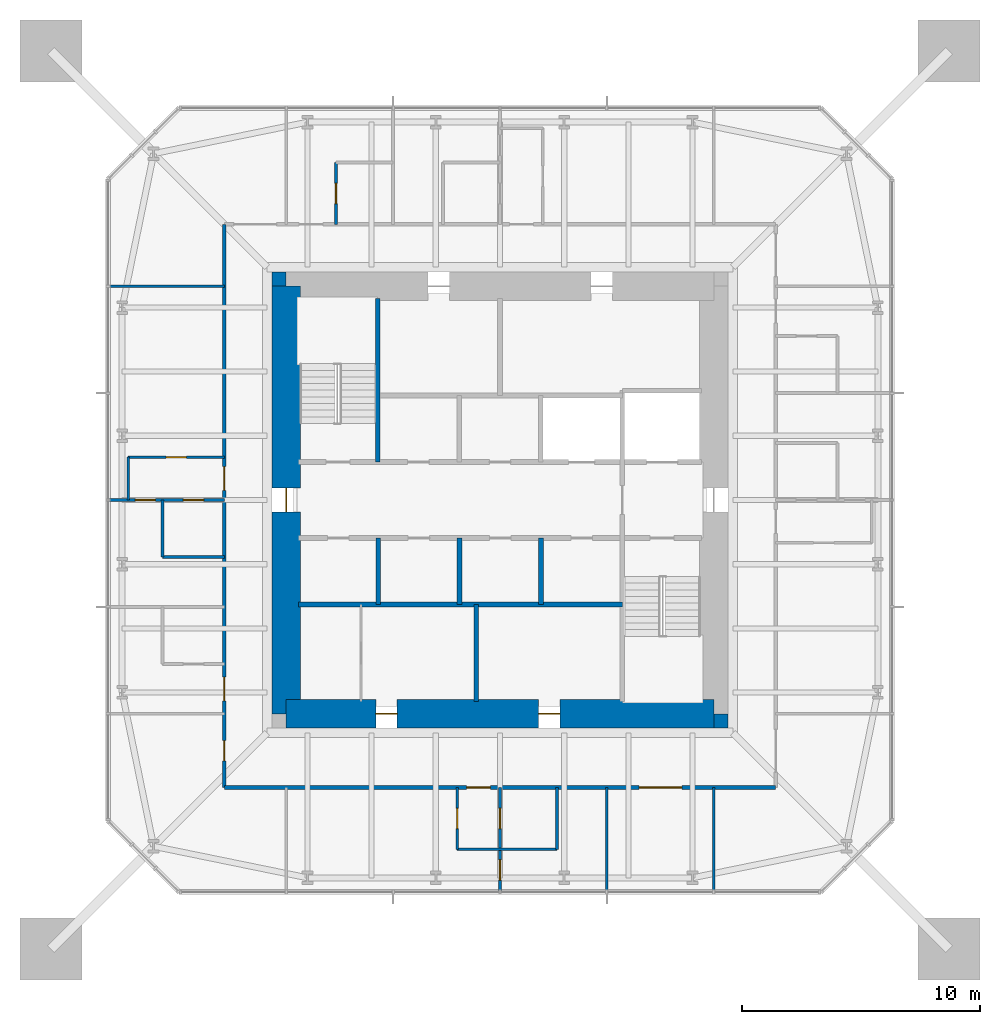
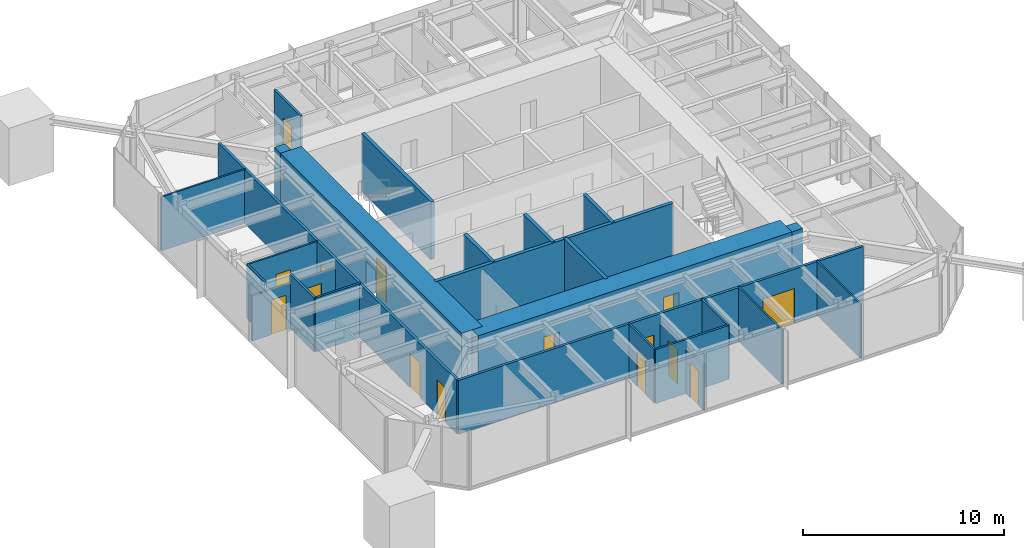
# One storey, part 6 of 9: 25 walls, 15 doors, 15 openings.
"""IFC4 building model written with IfcOpenShell, lengths in metres."""

import ifcopenshell
import ifcopenshell.guid

model = None  # the IFC model being written
_history = None  # IfcOwnerHistory: only IFC2X3 demands one
_inside = {}  # id of a spatial element -> (the spatial element, [elements in it])
_under = {}  # id of a project, library or spatial element -> (it, [spatial elements below it])
_declared = {}  # id of a project -> (the project, [libraries it declares])
_typed = {}  # id of a type object -> (the type object, [elements of that type])
_made_of = {}  # id of a material, layer set ... -> (it, [elements and type objects made of it])


def new_model(schema):
    """Start an empty IFC model of exactly this schema.

    Asked for "IFC4X3", IfcOpenShell would pick the latest addendum, in which some entities
    have other attributes; the version numbers below select the first issue.
    IFC2X3 requires an IfcOwnerHistory on every rooted entity: one is made here for all.
    """
    global model, _history
    if schema == "IFC4X3":
        model = ifcopenshell.file(schema_version=(4, 3, 0, 0))
    else:
        model = ifcopenshell.file(schema=schema)
    _inside.clear()
    _under.clear()
    _declared.clear()
    _typed.clear()
    _made_of.clear()
    _history = None
    if model.schema == "IFC2X3":
        org = make("IfcOrganization", Name="unknown")
        user = make(
            "IfcPersonAndOrganization",
            ThePerson=make("IfcPerson", FamilyName="unknown"),
            TheOrganization=org,
        )
        app = make(
            "IfcApplication",
            ApplicationDeveloper=org,
            Version="unknown",
            ApplicationFullName="unknown",
            ApplicationIdentifier="unknown",
        )
        _history = make(
            "IfcOwnerHistory",
            OwningUser=user,
            OwningApplication=app,
            ChangeAction="ADDED",
            CreationDate=0,
        )
    return model


def make(cls, **values):
    """One entity of the class cls with the attributes given. An attribute that is None is left unset."""
    return model.create_entity(
        cls, **{name: value for name, value in values.items() if value is not None}
    )


def rooted(cls, **values):
    """An entity with a GlobalId (a new one), such as an element, a storey or a relation."""
    return make(cls, GlobalId=ifcopenshell.guid.new(), OwnerHistory=_history, **values)


def si_unit(unit_type, name, prefix=None):
    """IfcSIUnit, for example si_unit("LENGTHUNIT", "METRE", prefix="MILLI")."""
    return make("IfcSIUnit", UnitType=unit_type, Prefix=prefix, Name=name)


def assignment(units):
    """IfcUnitAssignment: the units of a project."""
    return None if units is None else make("IfcUnitAssignment", Units=units)


def point(xyz):
    """IfcCartesianPoint."""
    return None if xyz is None else make("IfcCartesianPoint", Coordinates=xyz)


def direction(xyz):
    """IfcDirection."""
    return None if xyz is None else make("IfcDirection", DirectionRatios=xyz)


def frame(location, z_axis=None, x_axis=None):
    """IfcAxis2Placement3D, a coordinate frame: its origin and axes. An axis left out is left unset."""
    return make(
        "IfcAxis2Placement3D",
        Location=point(location),
        Axis=direction(z_axis),
        RefDirection=direction(x_axis),
    )


def frame_2d(location, x_axis=None):
    """IfcAxis2Placement2D, a coordinate frame in the plane: its origin and x axis."""
    return make(
        "IfcAxis2Placement2D", Location=point(location), RefDirection=direction(x_axis)
    )


def origin():
    """The frame at (0, 0, 0) with its axes left unset."""
    return frame((0.0, 0.0, 0.0))


def place(relative_to, where):
    """IfcLocalPlacement: puts the frame where relative to a parent placement (None: the world)."""
    return make(
        "IfcLocalPlacement", PlacementRelTo=relative_to, RelativePlacement=where
    )


def context(
    kind, dimensions, precision=None, world=None, true_north=None, identifier=None
):
    """IfcGeometricRepresentationContext, for example the 3D "Model" context."""
    return make(
        "IfcGeometricRepresentationContext",
        ContextIdentifier=identifier,
        ContextType=kind,
        CoordinateSpaceDimension=dimensions,
        Precision=precision,
        WorldCoordinateSystem=world,
        TrueNorth=true_north,
    )


def subcontext(parent, identifier, kind, view, scale=None):
    """IfcGeometricRepresentationSubContext, for example "Body" below "Model"."""
    return make(
        "IfcGeometricRepresentationSubContext",
        ContextIdentifier=identifier,
        ContextType=kind,
        ParentContext=parent,
        TargetScale=scale,
        TargetView=view,
    )


def project(units=None, contexts=None):
    """IfcProject with its units and contexts."""
    return rooted(
        "IfcProject",
        Name="project",
        RepresentationContexts=contexts,
        UnitsInContext=assignment(units),
    )


def spatial(cls, under=None, at=None, **own):
    """A site, building, storey or space (cls), placed at a placement, below another one or the project."""
    s = rooted(cls, ObjectPlacement=at, **own)
    if under is not None:
        _under.setdefault(under.id(), (under, []))[1].append(s)
    return s


def profile(cls, at=None, kind="AREA", **sizes):
    """A parametric profile (cls). Its sizes go by their IFC names, for example OverallWidth=200.0."""
    return make(cls, ProfileType=kind, Position=at, **sizes)


def rectangle(**sizes):
    """IfcRectangleProfileDef."""
    return profile("IfcRectangleProfileDef", **sizes)


def extrude(swept, where, along, depth):
    """IfcExtrudedAreaSolid: the profile swept, set in the frame where, extruded along a direction by depth."""
    return make(
        "IfcExtrudedAreaSolid",
        SweptArea=swept,
        Position=where,
        ExtrudedDirection=direction(along),
        Depth=depth,
    )


def shape(context_of_items, identifier, shape_type, items):
    """IfcShapeRepresentation: the items that make up one representation, for example the "Body"."""
    return make(
        "IfcShapeRepresentation",
        ContextOfItems=context_of_items,
        RepresentationIdentifier=identifier,
        RepresentationType=shape_type,
        Items=items,
    )


def material(Name=None, Category=None):
    """IfcMaterial."""
    return make("IfcMaterial", Name=Name, Category=Category)


def layer(
    of_material, thickness, ventilated=None, Name=None, Category=None, Priority=None
):
    """IfcMaterialLayer: one layer of a wall or slab, of a material (None: an air gap)."""
    return make(
        "IfcMaterialLayer",
        Material=of_material,
        LayerThickness=thickness,
        IsVentilated=ventilated,
        Name=Name,
        Category=Category,
        Priority=Priority,
    )


def layer_set(layers, Name=None):
    """IfcMaterialLayerSet."""
    return make("IfcMaterialLayerSet", MaterialLayers=layers, LayerSetName=Name)


def made_of(thing, what):
    """Note that an element or type object is made of a material, layer set ...; save() writes the relation."""
    if what is not None:
        _made_of.setdefault(what.id(), (what, []))[1].append(thing)
    return thing


def type_object(cls, material=None, **own):
    """A type object (cls), such as IfcWallType, which elements share."""
    return made_of(rooted(cls, **own), material)


def element(
    cls,
    number,
    at=None,
    inside=None,
    cuts=None,
    type_object=None,
    material=None,
    context=None,
    identifier="Body",
    shape_type=None,
    held_by="IfcProductDefinitionShape",
    body=None,
    shapes=None,
    **own,
):
    """One element of the class cls, such as IfcWall. Its Tag is "e" and its number.

    at: its placement. inside: the storey or other place that contains it. cuts: it is an
    opening in that element (IfcRelVoidsElement). A single representation is given by context,
    identifier, shape_type and body (its items); several are given by shapes. held_by: the class
    of the entity that holds the representations. save() writes the other relations.
    """
    e = rooted(cls, Tag="e%d" % number, ObjectPlacement=at, **own)
    if body is not None:
        shapes = [shape(context, identifier, shape_type, body)]
    if shapes is not None:
        e.Representation = make(held_by, Representations=shapes)
    if inside is not None:
        _inside.setdefault(inside.id(), (inside, []))[1].append(e)
    if cuts is not None:
        rooted(
            "IfcRelVoidsElement", RelatingBuildingElement=cuts, RelatedOpeningElement=e
        )
    if type_object is not None:
        _typed.setdefault(type_object.id(), (type_object, []))[1].append(e)
    return made_of(e, material)


def fill(opening, filler):
    """IfcRelFillsElement: the door or window that sits in an opening."""
    return rooted(
        "IfcRelFillsElement",
        RelatingOpeningElement=opening,
        RelatedBuildingElement=filler,
    )


def aggregate(whole, parts):
    """IfcRelAggregates: a whole, such as a stair, and the parts it consists of."""
    return rooted("IfcRelAggregates", RelatingObject=whole, RelatedObjects=parts)


def save(model, path):
    """Write the relations noted so far, then the file.

    IfcRelAggregates (storeys below a building ...), IfcRelContainedInSpatialStructure (elements
    in a storey), IfcRelDefinesByType, IfcRelAssociatesMaterial and IfcRelDeclares: one each for
    every whole, place, type object, material and project.
    """
    for whole, parts in _under.values():
        aggregate(whole, parts)
    for where, things in _inside.values():
        rooted(
            "IfcRelContainedInSpatialStructure",
            RelatedElements=things,
            RelatingStructure=where,
        )
    for kind, things in _typed.values():
        rooted("IfcRelDefinesByType", RelatedObjects=things, RelatingType=kind)
    for what, things in _made_of.values():
        rooted("IfcRelAssociatesMaterial", RelatedObjects=things, RelatingMaterial=what)
    for by, libraries in _declared.values():
        rooted("IfcRelDeclares", RelatingContext=by, RelatedDefinitions=libraries)
    model.write(path)


model = new_model("IFC4")

# Units and contexts
model_context = context("Model", 3, precision=1e-05, world=origin(), true_north=direction((0.0, 1.0)))
body_context = subcontext(model_context, "Body", "Model", "MODEL_VIEW")
ifc_project = project(units=[si_unit("LENGTHUNIT", "METRE"), si_unit("AREAUNIT", "SQUARE_METRE"), si_unit("VOLUMEUNIT", "CUBIC_METRE"), si_unit("PLANEANGLEUNIT", "RADIAN"), si_unit("MASSUNIT", "GRAM", prefix="KILO")], contexts=[model_context])

# Site, building, storey
site_placement = place(None, origin())
site = spatial("IfcSite", under=ifc_project, at=site_placement, CompositionType="ELEMENT")
building_placement = place(site_placement, origin())
building = spatial("IfcBuilding", under=site, at=building_placement, Name="Iwan Alto Co-Living Towers", CompositionType="ELEMENT")
storey_placement = place(building_placement, frame((0.0, 0.0, 232.5)))
storey = spatial("IfcBuildingStorey", under=building, at=storey_placement, Name="L63", CompositionType="ELEMENT", Elevation=232.5)

# Wall, openings, doors
ifc_material_1 = material(Name="Gypsum board")
ifc_layer_1 = layer(ifc_material_1, 0.02490234375, Name="Board", Category="Finish")
ifc_material_2 = material(Name="Steel ASTM A1003 ST33H cold-formed studs", Category="steel")
ifc_layer_2 = layer(ifc_material_2, 0.10009765625, Name="Studs", Category="Framing")
ifc_layer_3 = layer(ifc_material_1, 0.02490234375, Name="Board", Category="Finish")
ifc_layer_set_1 = layer_set([ifc_layer_1, ifc_layer_2, ifc_layer_3], Name="CORRIDOR WALL 150")
wall_type_1 = type_object("IfcWallType", Name="CORRIDOR WALL 150", PredefinedType="PARTITIONING", material=ifc_layer_set_1)
wall_1_placement = place(storey_placement, frame((-11.60009765625, -12.10009765625, 0.0), z_axis=(0.0, 0.0, 1.0), x_axis=(1.0, 0.0, 0.0)))
wall_1 = element("IfcWall", 1, at=wall_1_placement, inside=storey, type_object=wall_type_1, Name="Partition L63", PredefinedType="PARTITIONING", context=body_context, shape_type="SweptSolid", body=[
    extrude(rectangle(XDim=23.2001953125, YDim=0.14990234375, at=frame_2d((11.60009765625, 0.0))), origin(), (0.0, 0.0, 1.0), 3.27001953125),
])
opening_1_placement = place(wall_1_placement, frame((10.199951171875, 0.0, 0.0)))
opening_1 = element("IfcOpeningElement", 2, at=opening_1_placement, cuts=wall_1, Name="Opening D3", PredefinedType="OPENING", context=body_context, shape_type="SweptSolid", body=[
    extrude(rectangle(XDim=1.0, YDim=2.10009765625, at=frame_2d((0.5, 1.050048828125))), frame((0.0, 0.0849609375, 0.0), z_axis=(0.0, -1.0, 0.0), x_axis=(1.0, 0.0, 0.0)), (0.0, 0.0, 1.0), 0.169921875),
])
opening_2_placement = place(wall_1_placement, frame((17.449951171875, 0.0, 0.0)))
opening_2 = element("IfcOpeningElement", 3, at=opening_2_placement, cuts=wall_1, Name="Opening D9", PredefinedType="OPENING", context=body_context, shape_type="SweptSolid", body=[
    extrude(rectangle(XDim=1.800048828125, YDim=2.10009765625, at=frame_2d((0.89990234375, 1.050048828125))), frame((0.0, 0.0849609375, 0.0), z_axis=(0.0, -1.0, 0.0), x_axis=(1.0, 0.0, 0.0)), (0.0, 0.0, 1.0), 0.169921875),
])
ifc_material_3 = material(Name="Steel frame with timber leaf", Category="steel")
door_type_1 = type_object("IfcDoorType", Name="FLAT ENTRANCE DOOR FD30S 1000X2100", OperationType="SINGLE_SWING_LEFT", PredefinedType="DOOR", material=ifc_material_3)
door_1_placement = place(opening_1_placement, frame((1.0, 0.0, 0.0), z_axis=(0.0, 0.0, 1.0), x_axis=(-1.0, 0.0, 0.0)))
door_1 = element("IfcDoor", 4, at=door_1_placement, inside=storey, type_object=door_type_1, Name="Apartment foyer door L63", OperationType="SINGLE_SWING_RIGHT", OverallHeight=2.10009765625, OverallWidth=1.0, PredefinedType="DOOR", context=body_context, shape_type="SweptSolid", body=[
    extrude(rectangle(XDim=1.0, YDim=2.10009765625, at=frame_2d((0.5, 1.050048828125))), frame((0.0, 0.02490234375, 0.0), z_axis=(0.0, -1.0, 0.0), x_axis=(1.0, 0.0, 0.0)), (0.0, 0.0, 1.0), 0.050048828125),
])
fill(opening_1, door_1)
ifc_material_4 = material(Name="Steel frame with timber leaf", Category="steel")
door_type_2 = type_object("IfcDoorType", Name="LOUNGE DOOR FD30S 1800X2100", OperationType="DOUBLE_DOOR_SINGLE_SWING", PredefinedType="DOOR", material=ifc_material_4)
door_2_placement = place(opening_2_placement, frame((1.800048828125, 0.0, 0.0), z_axis=(0.0, 0.0, 1.0), x_axis=(-1.0, 0.0, 0.0)))
door_2 = element("IfcDoor", 5, at=door_2_placement, inside=storey, type_object=door_type_2, Name="Seminar room door L63", OperationType="DOUBLE_DOOR_SINGLE_SWING", OverallHeight=2.10009765625, OverallWidth=1.800048828125, PredefinedType="DOOR", context=body_context, shape_type="SweptSolid", body=[
    extrude(rectangle(XDim=1.800048828125, YDim=2.10009765625, at=frame_2d((0.89990234375, 1.050048828125))), frame((0.0, 0.02490234375, 0.0), z_axis=(0.0, -1.0, 0.0), x_axis=(1.0, 0.0, 0.0)), (0.0, 0.0, 1.0), 0.050048828125),
])
fill(opening_2, door_2)

wall_2_placement = place(storey_placement, frame((-11.60009765625, -12.10009765625, 0.0), z_axis=(0.0, 0.0, 1.0), x_axis=(0.0, 1.0, 0.0)))
wall_2 = element("IfcWall", 6, at=wall_2_placement, inside=storey, type_object=wall_type_1, Name="Partition L63", PredefinedType="PARTITIONING", context=body_context, shape_type="SweptSolid", body=[
    extrude(rectangle(XDim=23.7001953125, YDim=0.14990234375, at=frame_2d((11.85009765625, 0.0))), origin(), (0.0, 0.0, 1.0), 3.27001953125),
])
opening_3_placement = place(wall_2_placement, frame((12.5, 0.0, 0.0)))
opening_3 = element("IfcOpeningElement", 7, at=opening_3_placement, cuts=wall_2, Name="Opening D3", PredefinedType="OPENING", context=body_context, shape_type="SweptSolid", body=[
    extrude(rectangle(XDim=1.0, YDim=2.10009765625, at=frame_2d((0.5, 1.050048828125))), frame((0.0, 0.0849609375, 0.0), z_axis=(0.0, -1.0, 0.0), x_axis=(1.0, 0.0, 0.0)), (0.0, 0.0, 1.0), 0.169921875),
])
opening_4_placement = place(wall_2_placement, frame((3.64990234375, 0.0, 0.0)))
opening_4 = element("IfcOpeningElement", 8, at=opening_4_placement, cuts=wall_2, Name="Opening D3", PredefinedType="OPENING", context=body_context, shape_type="SweptSolid", body=[
    extrude(rectangle(XDim=1.0, YDim=2.10009765625, at=frame_2d((0.5, 1.050048828125))), frame((0.0, 0.0849609375, 0.0), z_axis=(0.0, -1.0, 0.0), x_axis=(1.0, 0.0, 0.0)), (0.0, 0.0, 1.0), 0.169921875),
])
opening_5_placement = place(wall_2_placement, frame((1.125, 0.0, 0.0)))
opening_5 = element("IfcOpeningElement", 9, at=opening_5_placement, cuts=wall_2, Name="Opening D2", PredefinedType="OPENING", context=body_context, shape_type="SweptSolid", body=[
    extrude(rectangle(XDim=0.85009765625, YDim=2.10009765625, at=frame_2d((0.425048828125, 1.050048828125))), frame((0.0, 0.0849609375, 0.0), z_axis=(0.0, -1.0, 0.0), x_axis=(1.0, 0.0, 0.0)), (0.0, 0.0, 1.0), 0.169921875),
])
door_3_placement = place(opening_3_placement, origin())
door_3 = element("IfcDoor", 10, at=door_3_placement, inside=storey, type_object=door_type_1, Name="Apartment foyer door L63", OperationType="SINGLE_SWING_LEFT", OverallHeight=2.10009765625, OverallWidth=1.0, PredefinedType="DOOR", context=body_context, shape_type="SweptSolid", body=[
    extrude(rectangle(XDim=1.0, YDim=2.10009765625, at=frame_2d((0.5, 1.050048828125))), frame((0.0, 0.02490234375, 0.0), z_axis=(0.0, -1.0, 0.0), x_axis=(1.0, 0.0, 0.0)), (0.0, 0.0, 1.0), 0.050048828125),
])
fill(opening_3, door_3)
door_4_placement = place(opening_4_placement, origin())
door_4 = element("IfcDoor", 11, at=door_4_placement, inside=storey, type_object=door_type_1, Name="Studio door L63", OperationType="SINGLE_SWING_LEFT", OverallHeight=2.10009765625, OverallWidth=1.0, PredefinedType="DOOR", context=body_context, shape_type="SweptSolid", body=[
    extrude(rectangle(XDim=1.0, YDim=2.10009765625, at=frame_2d((0.5, 1.050048828125))), frame((0.0, 0.02490234375, 0.0), z_axis=(0.0, -1.0, 0.0), x_axis=(1.0, 0.0, 0.0)), (0.0, 0.0, 1.0), 0.050048828125),
])
fill(opening_4, door_4)
ifc_material_5 = material(Name="Timber leaf in steel frame", Category="steel")
door_type_3 = type_object("IfcDoorType", Name="ROOM DOOR 850X2100", OperationType="SINGLE_SWING_LEFT", PredefinedType="DOOR", material=ifc_material_5)
door_5_placement = place(opening_5_placement, origin())
door_5 = element("IfcDoor", 12, at=door_5_placement, inside=storey, type_object=door_type_3, Name="Shared kitchen and lounge door L63", OperationType="SINGLE_SWING_RIGHT", OverallHeight=2.10009765625, OverallWidth=0.85009765625, PredefinedType="DOOR", context=body_context, shape_type="SweptSolid", body=[
    extrude(rectangle(XDim=0.85009765625, YDim=2.10009765625, at=frame_2d((0.425048828125, 1.050048828125))), frame((0.0, 0.02490234375, 0.0), z_axis=(0.0, -1.0, 0.0), x_axis=(1.0, 0.0, 0.0)), (0.0, 0.0, 1.0), 0.050048828125),
])
fill(opening_5, door_5)

# Wall, opening, door
ifc_layer_4 = layer(ifc_material_1, 0.012451171875, Name="Board", Category="Finish")
ifc_layer_5 = layer(ifc_material_2, 0.074951171875, Name="Studs", Category="Framing")
ifc_layer_6 = layer(ifc_material_1, 0.012451171875, Name="Board", Category="Finish")
ifc_layer_set_2 = layer_set([ifc_layer_4, ifc_layer_5, ifc_layer_6], Name="PARTITION 100")
wall_type_2 = type_object("IfcWallType", Name="PARTITION 100", PredefinedType="PARTITIONING", material=ifc_layer_set_2)
wall_3_placement = place(storey_placement, frame((-15.64990234375, 1.800048828125, 0.0), z_axis=(0.0, 0.0, 1.0), x_axis=(1.0, 0.0, 0.0)))
wall_3 = element("IfcWall", 13, at=wall_3_placement, inside=storey, type_object=wall_type_2, Name="Partition L63", PredefinedType="PARTITIONING", context=body_context, shape_type="SweptSolid", body=[
    extrude(rectangle(XDim=4.0498046875, YDim=0.10009765625, at=frame_2d((2.02490234375, 0.0))), origin(), (0.0, 0.0, 1.0), 3.27001953125),
])
opening_6_placement = place(wall_3_placement, frame((1.60009765625, 0.0, 0.0)))
opening_6 = element("IfcOpeningElement", 14, at=opening_6_placement, cuts=wall_3, Name="Opening D2", PredefinedType="OPENING", context=body_context, shape_type="SweptSolid", body=[
    extrude(rectangle(XDim=0.85009765625, YDim=2.10009765625, at=frame_2d((0.425048828125, 1.050048828125))), frame((0.0, 0.06005859375, 0.0), z_axis=(0.0, -1.0, 0.0), x_axis=(1.0, 0.0, 0.0)), (0.0, 0.0, 1.0), 0.1201171875),
])
door_6_placement = place(opening_6_placement, origin())
door_6 = element("IfcDoor", 15, at=door_6_placement, inside=storey, type_object=door_type_3, Name="Apartment foyer door L63", OperationType="SINGLE_SWING_RIGHT", OverallHeight=2.10009765625, OverallWidth=0.85009765625, PredefinedType="DOOR", context=body_context, shape_type="SweptSolid", body=[
    extrude(rectangle(XDim=0.85009765625, YDim=2.10009765625, at=frame_2d((0.425048828125, 1.050048828125))), frame((0.0, 0.02490234375, 0.0), z_axis=(0.0, -1.0, 0.0), x_axis=(1.0, 0.0, 0.0)), (0.0, 0.0, 1.0), 0.050048828125),
])
fill(opening_6, door_6)

# Walls
wall_4_placement = place(storey_placement, frame((-16.43994140625, 9.0, 0.0), z_axis=(0.0, 0.0, 1.0), x_axis=(1.0, 0.0, 0.0)))
element("IfcWall", 16, at=wall_4_placement, inside=storey, type_object=wall_type_2, Name="Partition L63", PredefinedType="PARTITIONING", context=body_context, shape_type="SweptSolid", body=[
    extrude(rectangle(XDim=4.83984375, YDim=0.10009765625, at=frame_2d((2.419921875, 0.0))), origin(), (0.0, 0.0, 1.0), 3.27001953125),
])
for number, where, z_axis, x_axis, name in (
    (17, (9.0, -16.43994140625, 0.0), (0.0, 0.0, 1.0), (0.0, 1.0, 0.0), "Partition L63"),
    (18, (4.5, -16.43994140625, 0.0), (0.0, 0.0, 1.0), (0.0, 1.0, 0.0), "Partition L63"),
):
    element("IfcWall", number, at=place(storey_placement, frame(where, z_axis=z_axis, x_axis=x_axis)), inside=storey, type_object=wall_type_2, Name=name, PredefinedType="PARTITIONING", context=body_context, shape_type="SweptSolid", body=[
        extrude(rectangle(XDim=4.33984375, YDim=0.10009765625, at=frame_2d((2.169921875, 0.0))), origin(), (0.0, 0.0, 1.0), 3.27001953125),
    ])

# Wall, opening, door
wall_5_placement = place(storey_placement, frame((-1.800048828125, -14.699951171875, 0.0), z_axis=(0.0, 0.0, 1.0), x_axis=(0.0, 1.0, 0.0)))
wall_5 = element("IfcWall", 19, at=wall_5_placement, inside=storey, type_object=wall_type_2, Name="Partition L63", PredefinedType="PARTITIONING", context=body_context, shape_type="SweptSolid", body=[
    extrude(rectangle(XDim=2.599853515625, YDim=0.10009765625, at=frame_2d((1.2998046875, 0.0))), origin(), (0.0, 0.0, 1.0), 3.27001953125),
])
opening_7_placement = place(wall_5_placement, frame((0.875, 0.0, 0.0)))
opening_7 = element("IfcOpeningElement", 20, at=opening_7_placement, cuts=wall_5, Name="Opening D2", PredefinedType="OPENING", context=body_context, shape_type="SweptSolid", body=[
    extrude(rectangle(XDim=0.85009765625, YDim=2.10009765625, at=frame_2d((0.425048828125, 1.050048828125))), frame((0.0, 0.06005859375, 0.0), z_axis=(0.0, -1.0, 0.0), x_axis=(1.0, 0.0, 0.0)), (0.0, 0.0, 1.0), 0.1201171875),
])
door_7_placement = place(opening_7_placement, origin())
door_7 = element("IfcDoor", 21, at=door_7_placement, inside=storey, type_object=door_type_3, Name="Apartment foyer door L63", OperationType="SINGLE_SWING_RIGHT", OverallHeight=2.10009765625, OverallWidth=0.85009765625, PredefinedType="DOOR", context=body_context, shape_type="SweptSolid", body=[
    extrude(rectangle(XDim=0.85009765625, YDim=2.10009765625, at=frame_2d((0.425048828125, 1.050048828125))), frame((0.0, 0.02490234375, 0.0), z_axis=(0.0, -1.0, 0.0), x_axis=(1.0, 0.0, 0.0)), (0.0, 0.0, 1.0), 0.050048828125),
])
fill(opening_7, door_7)

# Walls
wall_6_placement = place(storey_placement, frame((-15.64990234375, 0.0, 0.0), z_axis=(0.0, 0.0, 1.0), x_axis=(0.0, 1.0, 0.0)))
element("IfcWall", 22, at=wall_6_placement, inside=storey, type_object=wall_type_2, Name="Partition L63", PredefinedType="PARTITIONING", context=body_context, shape_type="SweptSolid", body=[
    extrude(rectangle(XDim=1.800048828125, YDim=0.10009765625, at=frame_2d((0.89990234375, 0.0))), origin(), (0.0, 0.0, 1.0), 3.27001953125),
])
ifc_material_6 = material(Name="Concrete f'c 70 MPa", Category="concrete")
ifc_layer_7 = layer(ifc_material_6, 0.199951171875)
ifc_layer_set_3 = layer_set([ifc_layer_7], Name="SHAFT WALL 200")
wall_type_3 = type_object("IfcWallType", Name="SHAFT WALL 200", PredefinedType="SOLIDWALL", material=ifc_layer_set_3)
wall_7_placement = place(storey_placement, frame((-8.489990234375, -4.39990234375, 0.0), z_axis=(0.0, 0.0, 1.0), x_axis=(1.0, 0.0, 0.0)))
element("IfcWall", 23, at=wall_7_placement, inside=storey, type_object=wall_type_3, Name="Shaft wall L63", PredefinedType="SOLIDWALL", context=body_context, shape_type="SweptSolid", body=[
    extrude(rectangle(XDim=13.639892578125, YDim=0.199951171875, at=frame_2d((6.81982421875, 0.0))), origin(), (0.0, 0.0, 1.0), 3.5),
])
wall_8_placement = place(storey_placement, frame((1.72509765625, -4.39990234375, 0.0), z_axis=(0.0, 0.0, 1.0), x_axis=(0.0, 1.0, 0.0)))
element("IfcWall", 24, at=wall_8_placement, inside=storey, type_object=wall_type_3, Name="Shaft wall L63", PredefinedType="SOLIDWALL", context=body_context, shape_type="SweptSolid", body=[
    extrude(rectangle(XDim=2.7998046875, YDim=0.199951171875, at=frame_2d((1.39990234375, 0.0))), origin(), (0.0, 0.0, 1.0), 3.5),
])
wall_9_placement = place(storey_placement, frame((-1.0, -8.489990234375, 0.0), z_axis=(0.0, 0.0, 1.0), x_axis=(0.0, 1.0, 0.0)))
element("IfcWall", 25, at=wall_9_placement, inside=storey, type_object=wall_type_3, Name="Shaft wall L63", PredefinedType="SOLIDWALL", context=body_context, shape_type="SweptSolid", body=[
    extrude(rectangle(XDim=4.090087890625, YDim=0.199951171875, at=frame_2d((2.044921875, 0.0))), origin(), (0.0, 0.0, 1.0), 3.5),
])
for number, where, z_axis, x_axis, name in (
    (26, (-1.699951171875, -4.39990234375, 0.0), (0.0, 0.0, 1.0), (0.0, 1.0, 0.0), "Shaft wall L63"),
    (27, (-5.125, -4.39990234375, 0.0), (0.0, 0.0, 1.0), (0.0, 1.0, 0.0), "Shaft wall L63"),
):
    element("IfcWall", number, at=place(storey_placement, frame(where, z_axis=z_axis, x_axis=x_axis)), inside=storey, type_object=wall_type_3, Name=name, PredefinedType="SOLIDWALL", context=body_context, shape_type="SweptSolid", body=[
        extrude(rectangle(XDim=2.7998046875, YDim=0.199951171875, at=frame_2d((1.39990234375, 0.0))), origin(), (0.0, 0.0, 1.0), 3.5),
    ])
wall_10_placement = place(storey_placement, frame((-5.14990234375, 1.60009765625, 0.0), z_axis=(0.0, 0.0, 1.0), x_axis=(0.0, 1.0, 0.0)))
element("IfcWall", 28, at=wall_10_placement, inside=storey, type_object=wall_type_3, Name="Shaft wall L63", PredefinedType="SOLIDWALL", context=body_context, shape_type="SweptSolid", body=[
    extrude(rectangle(XDim=6.889892578125, YDim=0.199951171875, at=frame_2d((3.44482421875, 0.0))), origin(), (0.0, 0.0, 1.0), 3.5),
])
ifc_material_7 = material(Name="Concrete f'c 70 MPa", Category="concrete")
ifc_layer_8 = layer(ifc_material_7, 0.60009765625)
ifc_layer_set_4 = layer_set([ifc_layer_8], Name="T1 CORE CORNER FILL 600")
wall_type_4 = type_object("IfcWallType", Name="T1 CORE CORNER FILL 600", PredefinedType="SOLIDWALL", material=ifc_layer_set_4)
for number, where, z_axis, x_axis, name in (
    (29, (9.0, -9.300048828125, 0.0), (0.0, 0.0, 1.0), (1.0, 0.0, 0.0), "T1 core corner SE L63"),
    (30, (-9.60009765625, 9.300048828125, 0.0), (0.0, 0.0, 1.0), (1.0, 0.0, 0.0), "T1 core corner NW L63"),
):
    element("IfcWall", number, at=place(storey_placement, frame(where, z_axis=z_axis, x_axis=x_axis)), inside=storey, type_object=wall_type_4, Name=name, PredefinedType="SOLIDWALL", context=body_context, shape_type="SweptSolid", body=[
        extrude(rectangle(XDim=0.60009765625, YDim=0.60009765625, at=frame_2d((0.300048828125, 0.0))), origin(), (0.0, 0.0, 1.0), 3.5),
    ])

# Wall, openings, doors
ifc_material_8 = material(Name="Concrete f'c 70 MPa", Category="concrete")
ifc_layer_9 = layer(ifc_material_8, 1.199951171875)
ifc_layer_set_5 = layer_set([ifc_layer_9], Name="T1 CORE WALL 1200")
wall_type_5 = type_object("IfcWallType", Name="T1 CORE WALL 1200", PredefinedType="SHEAR", material=ifc_layer_set_5)
wall_11_placement = place(storey_placement, frame((-9.0, -9.0, 0.0), z_axis=(0.0, 0.0, 1.0), x_axis=(1.0, 0.0, 0.0)))
wall_11 = element("IfcWall", 31, at=wall_11_placement, inside=storey, type_object=wall_type_5, Name="T1 core wall S L63", PredefinedType="SHEAR", context=body_context, shape_type="SweptSolid", body=[
    extrude(rectangle(XDim=18.0, YDim=1.199951171875, at=frame_2d((9.0, 0.0))), origin(), (0.0, 0.0, 1.0), 3.5),
])
opening_8_placement = place(wall_11_placement, frame((3.77490234375, 0.0, 0.0)))
opening_8 = element("IfcOpeningElement", 32, at=opening_8_placement, cuts=wall_11, Name="Opening D8", PredefinedType="OPENING", context=body_context, shape_type="SweptSolid", body=[
    extrude(rectangle(XDim=0.89990234375, YDim=2.10009765625, at=frame_2d((0.449951171875, 1.050048828125))), frame((0.0, 0.60986328125, 0.0), z_axis=(0.0, -1.0, 0.0), x_axis=(1.0, 0.0, 0.0)), (0.0, 0.0, 1.0), 1.219970703125),
])
opening_9_placement = place(wall_11_placement, frame((10.625, 0.0, 0.0)))
opening_9 = element("IfcOpeningElement", 33, at=opening_9_placement, cuts=wall_11, Name="Opening D8", PredefinedType="OPENING", context=body_context, shape_type="SweptSolid", body=[
    extrude(rectangle(XDim=0.89990234375, YDim=2.10009765625, at=frame_2d((0.449951171875, 1.050048828125))), frame((0.0, 0.60986328125, 0.0), z_axis=(0.0, -1.0, 0.0), x_axis=(1.0, 0.0, 0.0)), (0.0, 0.0, 1.0), 1.219970703125),
])
ifc_material_9 = material(Name="Steel frame with timber leaf", Category="steel")
door_type_4 = type_object("IfcDoorType", Name="RISER DOOR FD120 900X2100", OperationType="SINGLE_SWING_LEFT", PredefinedType="DOOR", material=ifc_material_9)
door_8_placement = place(opening_8_placement, origin())
door_8 = element("IfcDoor", 34, at=door_8_placement, inside=storey, type_object=door_type_4, Name="Refuse room core door L63", OperationType="SINGLE_SWING_LEFT", OverallHeight=2.10009765625, OverallWidth=0.89990234375, PredefinedType="DOOR", context=body_context, shape_type="SweptSolid", body=[
    extrude(rectangle(XDim=0.89990234375, YDim=2.10009765625, at=frame_2d((0.449951171875, 1.050048828125))), frame((0.0, 0.02490234375, 0.0), z_axis=(0.0, -1.0, 0.0), x_axis=(1.0, 0.0, 0.0)), (0.0, 0.0, 1.0), 0.050048828125),
])
fill(opening_8, door_8)
door_9_placement = place(opening_9_placement, origin())
door_9 = element("IfcDoor", 35, at=door_9_placement, inside=storey, type_object=door_type_4, Name="Telecom riser core door L63", OperationType="SINGLE_SWING_LEFT", OverallHeight=2.10009765625, OverallWidth=0.89990234375, PredefinedType="DOOR", context=body_context, shape_type="SweptSolid", body=[
    extrude(rectangle(XDim=0.89990234375, YDim=2.10009765625, at=frame_2d((0.449951171875, 1.050048828125))), frame((0.0, 0.02490234375, 0.0), z_axis=(0.0, -1.0, 0.0), x_axis=(1.0, 0.0, 0.0)), (0.0, 0.0, 1.0), 0.050048828125),
])
fill(opening_9, door_9)

# Wall, opening, door
wall_12_placement = place(storey_placement, frame((-9.0, 9.0, 0.0), z_axis=(0.0, 0.0, 1.0), x_axis=(0.0, -1.0, 0.0)))
wall_12 = element("IfcWall", 36, at=wall_12_placement, inside=storey, type_object=wall_type_5, Name="T1 core wall W L63", PredefinedType="SHEAR", context=body_context, shape_type="SweptSolid", body=[
    extrude(rectangle(XDim=18.0, YDim=1.199951171875, at=frame_2d((9.0, 0.0))), origin(), (0.0, 0.0, 1.0), 3.5),
])
opening_10_placement = place(wall_12_placement, frame((8.5, 0.0, 0.0)))
opening_10 = element("IfcOpeningElement", 37, at=opening_10_placement, cuts=wall_12, Name="Opening D7", PredefinedType="OPENING", context=body_context, shape_type="SweptSolid", body=[
    extrude(rectangle(XDim=1.0, YDim=2.10009765625, at=frame_2d((0.5, 1.050048828125))), frame((0.0, 0.60986328125, 0.0), z_axis=(0.0, -1.0, 0.0), x_axis=(1.0, 0.0, 0.0)), (0.0, 0.0, 1.0), 1.219970703125),
])
ifc_material_10 = material(Name="Steel frame with timber leaf", Category="steel")
door_type_5 = type_object("IfcDoorType", Name="CORE DOOR FD120S 1000X2100", OperationType="SINGLE_SWING_LEFT", PredefinedType="DOOR", material=ifc_material_10)
door_10_placement = place(opening_10_placement, origin())
door_10 = element("IfcDoor", 38, at=door_10_placement, inside=storey, type_object=door_type_5, Name="Lift lobby core door L63", OperationType="SINGLE_SWING_RIGHT", OverallHeight=2.10009765625, OverallWidth=1.0, PredefinedType="DOOR", context=body_context, shape_type="SweptSolid", body=[
    extrude(rectangle(XDim=1.0, YDim=2.10009765625, at=frame_2d((0.5, 1.050048828125))), frame((0.0, 0.02490234375, 0.0), z_axis=(0.0, -1.0, 0.0), x_axis=(1.0, 0.0, 0.0)), (0.0, 0.0, 1.0), 0.050048828125),
])
fill(opening_10, door_10)

# Walls
ifc_material_11 = material(Name="Cement board")
ifc_layer_10 = layer(ifc_material_11, 0.012451171875, Name="Board", Category="Finish")
ifc_layer_11 = layer(ifc_material_2, 0.094970703125, Name="Studs", Category="Framing")
ifc_layer_12 = layer(ifc_material_11, 0.012451171875, Name="Board", Category="Finish")
ifc_layer_set_6 = layer_set([ifc_layer_10, ifc_layer_11, ifc_layer_12], Name="WET AREA PARTITION 120")
wall_type_6 = type_object("IfcWallType", Name="WET AREA PARTITION 120", PredefinedType="PARTITIONING", material=ifc_layer_set_6)
wall_13_placement = place(storey_placement, frame((-1.800048828125, -14.699951171875, 0.0), z_axis=(0.0, 0.0, 1.0), x_axis=(1.0, 0.0, 0.0)))
element("IfcWall", 39, at=wall_13_placement, inside=storey, type_object=wall_type_6, Name="Partition L63", PredefinedType="PARTITIONING", context=body_context, shape_type="SweptSolid", body=[
    extrude(rectangle(XDim=4.199951171875, YDim=0.1201171875, at=frame_2d((2.10009765625, 0.0))), origin(), (0.0, 0.0, 1.0), 3.27001953125),
])
wall_14_placement = place(storey_placement, frame((-14.199951171875, -2.39990234375, 0.0), z_axis=(0.0, 0.0, 1.0), x_axis=(1.0, 0.0, 0.0)))
element("IfcWall", 40, at=wall_14_placement, inside=storey, type_object=wall_type_6, Name="Partition L63", PredefinedType="PARTITIONING", context=body_context, shape_type="SweptSolid", body=[
    extrude(rectangle(XDim=2.599853515625, YDim=0.1201171875, at=frame_2d((1.2998046875, 0.0))), origin(), (0.0, 0.0, 1.0), 3.27001953125),
])

# Wall, openings, doors
wall_15_placement = place(storey_placement, frame((-16.43994140625, 0.0, 0.0), z_axis=(0.0, 0.0, 1.0), x_axis=(1.0, 0.0, 0.0)))
wall_15 = element("IfcWall", 41, at=wall_15_placement, inside=storey, type_object=wall_type_6, Name="Partition L63", PredefinedType="PARTITIONING", context=body_context, shape_type="SweptSolid", body=[
    extrude(rectangle(XDim=4.83984375, YDim=0.1201171875, at=frame_2d((2.419921875, 0.0))), origin(), (0.0, 0.0, 1.0), 2.736572265625),
])
opening_11_placement = place(wall_15_placement, frame((1.090087890625, 0.0, 0.0)))
opening_11 = element("IfcOpeningElement", 42, at=opening_11_placement, cuts=wall_15, Name="Opening D2", PredefinedType="OPENING", context=body_context, shape_type="SweptSolid", body=[
    extrude(rectangle(XDim=0.85009765625, YDim=2.10009765625, at=frame_2d((0.425048828125, 1.050048828125))), frame((0.0, 0.070068359375, 0.0), z_axis=(0.0, -1.0, 0.0), x_axis=(1.0, 0.0, 0.0)), (0.0, 0.0, 1.0), 0.14013671875),
])
opening_12_placement = place(wall_15_placement, frame((3.114990234375, 0.0, 0.0)))
opening_12 = element("IfcOpeningElement", 43, at=opening_12_placement, cuts=wall_15, Name="Opening D2", PredefinedType="OPENING", context=body_context, shape_type="SweptSolid", body=[
    extrude(rectangle(XDim=0.85009765625, YDim=2.10009765625, at=frame_2d((0.425048828125, 1.050048828125))), frame((0.0, 0.070068359375, 0.0), z_axis=(0.0, -1.0, 0.0), x_axis=(1.0, 0.0, 0.0)), (0.0, 0.0, 1.0), 0.14013671875),
])
door_11_placement = place(opening_11_placement, frame((0.85009765625, 0.0, 0.0), z_axis=(0.0, 0.0, 1.0), x_axis=(-1.0, 0.0, 0.0)))
door_11 = element("IfcDoor", 44, at=door_11_placement, inside=storey, type_object=door_type_3, Name="Bedroom door L63", OperationType="SINGLE_SWING_LEFT", OverallHeight=2.10009765625, OverallWidth=0.85009765625, PredefinedType="DOOR", context=body_context, shape_type="SweptSolid", body=[
    extrude(rectangle(XDim=0.85009765625, YDim=2.10009765625, at=frame_2d((0.425048828125, 1.050048828125))), frame((0.0, 0.02490234375, 0.0), z_axis=(0.0, -1.0, 0.0), x_axis=(1.0, 0.0, 0.0)), (0.0, 0.0, 1.0), 0.050048828125),
])
fill(opening_11, door_11)
door_12_placement = place(opening_12_placement, frame((0.85009765625, 0.0, 0.0), z_axis=(0.0, 0.0, 1.0), x_axis=(-1.0, 0.0, 0.0)))
door_12 = element("IfcDoor", 45, at=door_12_placement, inside=storey, type_object=door_type_3, Name="Bathroom door L63", OperationType="SINGLE_SWING_RIGHT", OverallHeight=2.10009765625, OverallWidth=0.85009765625, PredefinedType="DOOR", context=body_context, shape_type="SweptSolid", body=[
    extrude(rectangle(XDim=0.85009765625, YDim=2.10009765625, at=frame_2d((0.425048828125, 1.050048828125))), frame((0.0, 0.02490234375, 0.0), z_axis=(0.0, -1.0, 0.0), x_axis=(1.0, 0.0, 0.0)), (0.0, 0.0, 1.0), 0.050048828125),
])
fill(opening_12, door_12)

# Wall
wall_16_placement = place(storey_placement, frame((2.39990234375, -14.699951171875, 0.0), z_axis=(0.0, 0.0, 1.0), x_axis=(0.0, 1.0, 0.0)))
element("IfcWall", 46, at=wall_16_placement, inside=storey, type_object=wall_type_6, Name="Partition L63", PredefinedType="PARTITIONING", context=body_context, shape_type="SweptSolid", body=[
    extrude(rectangle(XDim=2.599853515625, YDim=0.1201171875, at=frame_2d((1.2998046875, 0.0))), origin(), (0.0, 0.0, 1.0), 3.27001953125),
])

# Wall, openings, doors
wall_17_placement = place(storey_placement, frame((0.0, -16.43994140625, 0.0), z_axis=(0.0, 0.0, 1.0), x_axis=(0.0, 1.0, 0.0)))
wall_17 = element("IfcWall", 47, at=wall_17_placement, inside=storey, type_object=wall_type_6, Name="Partition L63", PredefinedType="PARTITIONING", context=body_context, shape_type="SweptSolid", body=[
    extrude(rectangle(XDim=4.33984375, YDim=0.1201171875, at=frame_2d((2.169921875, 0.0))), origin(), (0.0, 0.0, 1.0), 2.736572265625),
])
opening_13_placement = place(wall_17_placement, frame((0.445068359375, 0.0, 0.0)))
opening_13 = element("IfcOpeningElement", 48, at=opening_13_placement, cuts=wall_17, Name="Opening D2", PredefinedType="OPENING", context=body_context, shape_type="SweptSolid", body=[
    extrude(rectangle(XDim=0.85009765625, YDim=2.10009765625, at=frame_2d((0.425048828125, 1.050048828125))), frame((0.0, 0.070068359375, 0.0), z_axis=(0.0, -1.0, 0.0), x_axis=(1.0, 0.0, 0.0)), (0.0, 0.0, 1.0), 0.14013671875),
])
opening_14_placement = place(wall_17_placement, frame((2.614990234375, 0.0, 0.0)))
opening_14 = element("IfcOpeningElement", 49, at=opening_14_placement, cuts=wall_17, Name="Opening D2", PredefinedType="OPENING", context=body_context, shape_type="SweptSolid", body=[
    extrude(rectangle(XDim=0.85009765625, YDim=2.10009765625, at=frame_2d((0.425048828125, 1.050048828125))), frame((0.0, 0.070068359375, 0.0), z_axis=(0.0, -1.0, 0.0), x_axis=(1.0, 0.0, 0.0)), (0.0, 0.0, 1.0), 0.14013671875),
])
door_13_placement = place(opening_13_placement, origin())
door_13 = element("IfcDoor", 50, at=door_13_placement, inside=storey, type_object=door_type_3, Name="Bedroom door L63", OperationType="SINGLE_SWING_RIGHT", OverallHeight=2.10009765625, OverallWidth=0.85009765625, PredefinedType="DOOR", context=body_context, shape_type="SweptSolid", body=[
    extrude(rectangle(XDim=0.85009765625, YDim=2.10009765625, at=frame_2d((0.425048828125, 1.050048828125))), frame((0.0, 0.02490234375, 0.0), z_axis=(0.0, -1.0, 0.0), x_axis=(1.0, 0.0, 0.0)), (0.0, 0.0, 1.0), 0.050048828125),
])
fill(opening_13, door_13)
door_14_placement = place(opening_14_placement, frame((0.85009765625, 0.0, 0.0), z_axis=(0.0, 0.0, 1.0), x_axis=(-1.0, 0.0, 0.0)))
door_14 = element("IfcDoor", 51, at=door_14_placement, inside=storey, type_object=door_type_3, Name="Bathroom door L63", OperationType="SINGLE_SWING_RIGHT", OverallHeight=2.10009765625, OverallWidth=0.85009765625, PredefinedType="DOOR", context=body_context, shape_type="SweptSolid", body=[
    extrude(rectangle(XDim=0.85009765625, YDim=2.10009765625, at=frame_2d((0.425048828125, 1.050048828125))), frame((0.0, 0.02490234375, 0.0), z_axis=(0.0, -1.0, 0.0), x_axis=(1.0, 0.0, 0.0)), (0.0, 0.0, 1.0), 0.050048828125),
])
fill(opening_14, door_14)

# Wall, opening, door
wall_18_placement = place(storey_placement, frame((-6.89990234375, 11.60009765625, 0.0), z_axis=(0.0, 0.0, 1.0), x_axis=(0.0, 1.0, 0.0)))
wall_18 = element("IfcWall", 52, at=wall_18_placement, inside=storey, type_object=wall_type_6, Name="Partition L63", PredefinedType="PARTITIONING", context=body_context, shape_type="SweptSolid", body=[
    extrude(rectangle(XDim=2.599853515625, YDim=0.1201171875, at=frame_2d((1.2998046875, 0.0))), origin(), (0.0, 0.0, 1.0), 3.27001953125),
])
opening_15_placement = place(wall_18_placement, frame((0.875, 0.0, 0.0)))
opening_15 = element("IfcOpeningElement", 53, at=opening_15_placement, cuts=wall_18, Name="Opening D2", PredefinedType="OPENING", context=body_context, shape_type="SweptSolid", body=[
    extrude(rectangle(XDim=0.85009765625, YDim=2.10009765625, at=frame_2d((0.425048828125, 1.050048828125))), frame((0.0, 0.070068359375, 0.0), z_axis=(0.0, -1.0, 0.0), x_axis=(1.0, 0.0, 0.0)), (0.0, 0.0, 1.0), 0.14013671875),
])
door_15_placement = place(opening_15_placement, origin())
door_15 = element("IfcDoor", 54, at=door_15_placement, inside=storey, type_object=door_type_3, Name="En-suite shower room door L63", OperationType="SINGLE_SWING_LEFT", OverallHeight=2.10009765625, OverallWidth=0.85009765625, PredefinedType="DOOR", context=body_context, shape_type="SweptSolid", body=[
    extrude(rectangle(XDim=0.85009765625, YDim=2.10009765625, at=frame_2d((0.425048828125, 1.050048828125))), frame((0.0, 0.02490234375, 0.0), z_axis=(0.0, -1.0, 0.0), x_axis=(1.0, 0.0, 0.0)), (0.0, 0.0, 1.0), 0.050048828125),
])
fill(opening_15, door_15)

# Wall
wall_19_placement = place(storey_placement, frame((-14.199951171875, -2.39990234375, 0.0), z_axis=(0.0, 0.0, 1.0), x_axis=(0.0, 1.0, 0.0)))
element("IfcWall", 55, at=wall_19_placement, inside=storey, type_object=wall_type_6, Name="Partition L63", PredefinedType="PARTITIONING", context=body_context, shape_type="SweptSolid", body=[
    extrude(rectangle(XDim=2.39990234375, YDim=0.1201171875, at=frame_2d((1.199951171875, 0.0))), origin(), (0.0, 0.0, 1.0), 3.27001953125),
])

save(model, "model.ifc")
